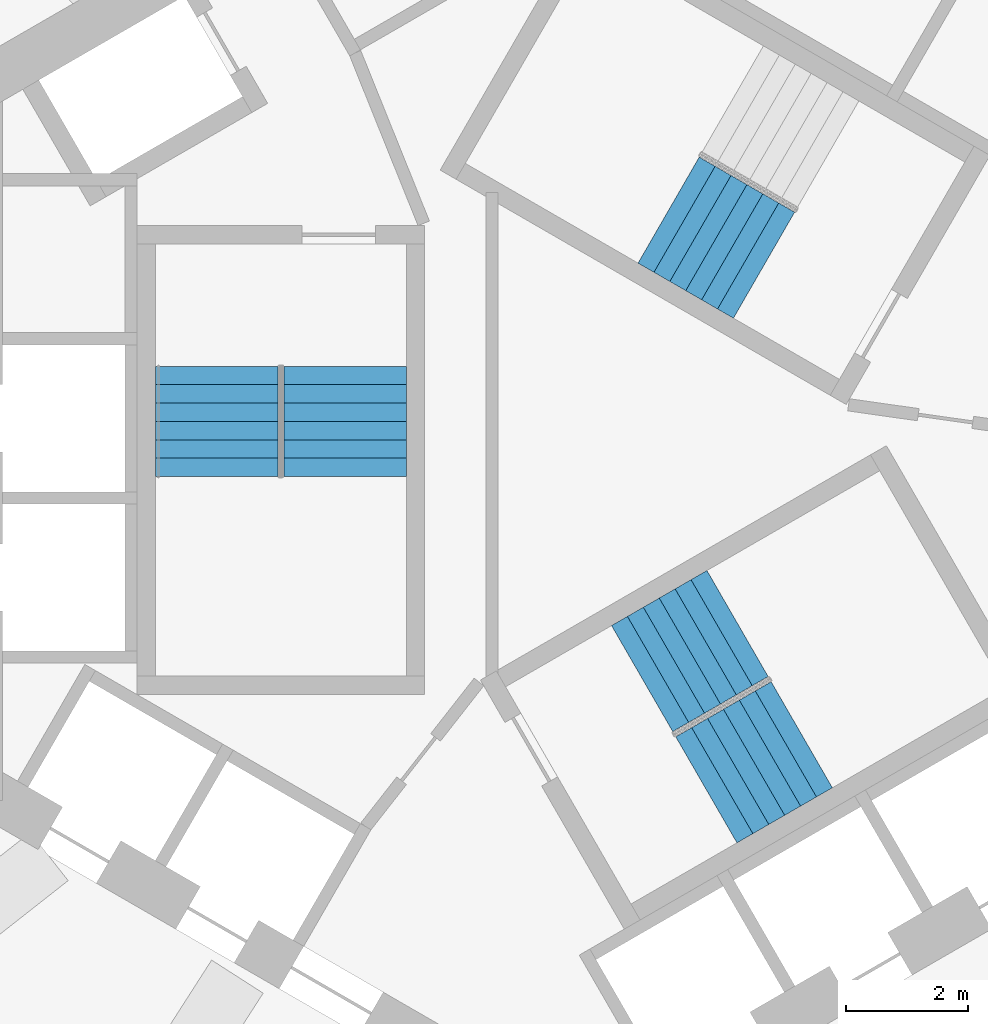
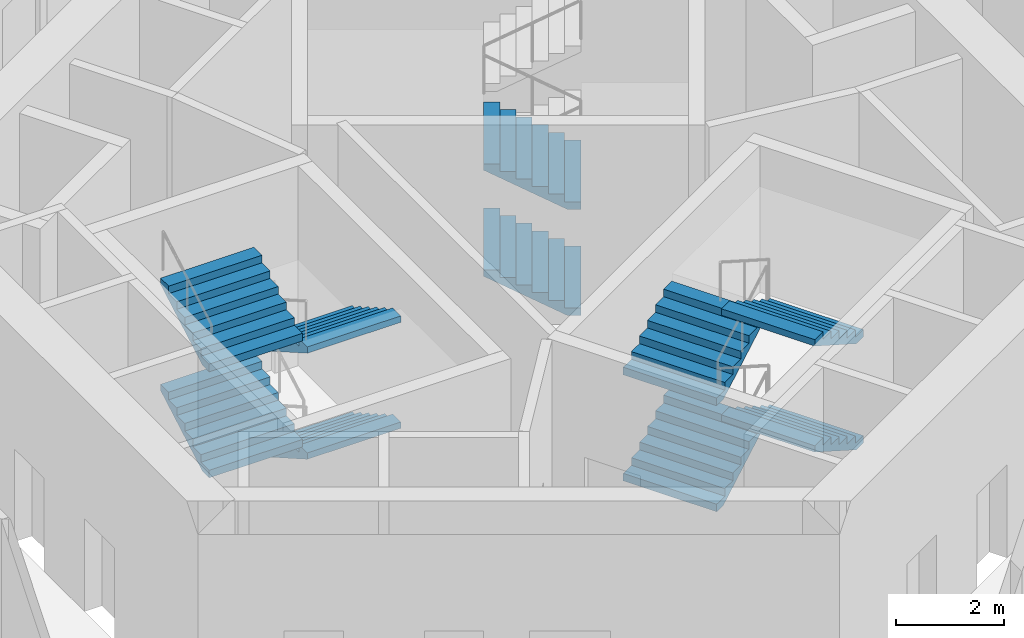
# One storey, part 9 of 15: 10 stair flights, 3 elements without a shape of their own.
"""IFC4 building model written with IfcOpenShell, lengths in metres."""

import ifcopenshell
import ifcopenshell.guid

model = None  # the IFC model being written
_history = None  # IfcOwnerHistory: only IFC2X3 demands one
_inside = {}  # id of a spatial element -> (the spatial element, [elements in it])
_under = {}  # id of a project, library or spatial element -> (it, [spatial elements below it])
_declared = {}  # id of a project -> (the project, [libraries it declares])
_typed = {}  # id of a type object -> (the type object, [elements of that type])
_made_of = {}  # id of a material, layer set ... -> (it, [elements and type objects made of it])


def new_model(schema):
    """Start an empty IFC model of exactly this schema.

    Asked for "IFC4X3", IfcOpenShell would pick the latest addendum, in which some entities
    have other attributes; the version numbers below select the first issue.
    IFC2X3 requires an IfcOwnerHistory on every rooted entity: one is made here for all.
    """
    global model, _history
    if schema == "IFC4X3":
        model = ifcopenshell.file(schema_version=(4, 3, 0, 0))
    else:
        model = ifcopenshell.file(schema=schema)
    _inside.clear()
    _under.clear()
    _declared.clear()
    _typed.clear()
    _made_of.clear()
    _history = None
    if model.schema == "IFC2X3":
        org = make("IfcOrganization", Name="unknown")
        user = make(
            "IfcPersonAndOrganization",
            ThePerson=make("IfcPerson", FamilyName="unknown"),
            TheOrganization=org,
        )
        app = make(
            "IfcApplication",
            ApplicationDeveloper=org,
            Version="unknown",
            ApplicationFullName="unknown",
            ApplicationIdentifier="unknown",
        )
        _history = make(
            "IfcOwnerHistory",
            OwningUser=user,
            OwningApplication=app,
            ChangeAction="ADDED",
            CreationDate=0,
        )
    return model


def make(cls, **values):
    """One entity of the class cls with the attributes given. An attribute that is None is left unset."""
    return model.create_entity(
        cls, **{name: value for name, value in values.items() if value is not None}
    )


def rooted(cls, **values):
    """An entity with a GlobalId (a new one), such as an element, a storey or a relation."""
    return make(cls, GlobalId=ifcopenshell.guid.new(), OwnerHistory=_history, **values)


def si_unit(unit_type, name, prefix=None):
    """IfcSIUnit, for example si_unit("LENGTHUNIT", "METRE", prefix="MILLI")."""
    return make("IfcSIUnit", UnitType=unit_type, Prefix=prefix, Name=name)


def assignment(units):
    """IfcUnitAssignment: the units of a project."""
    return None if units is None else make("IfcUnitAssignment", Units=units)


def point(xyz):
    """IfcCartesianPoint."""
    return None if xyz is None else make("IfcCartesianPoint", Coordinates=xyz)


def direction(xyz):
    """IfcDirection."""
    return None if xyz is None else make("IfcDirection", DirectionRatios=xyz)


def frame(location, z_axis=None, x_axis=None):
    """IfcAxis2Placement3D, a coordinate frame: its origin and axes. An axis left out is left unset."""
    return make(
        "IfcAxis2Placement3D",
        Location=point(location),
        Axis=direction(z_axis),
        RefDirection=direction(x_axis),
    )


def origin():
    """The frame at (0, 0, 0) with its axes left unset."""
    return frame((0.0, 0.0, 0.0))


def place(relative_to, where):
    """IfcLocalPlacement: puts the frame where relative to a parent placement (None: the world)."""
    return make(
        "IfcLocalPlacement", PlacementRelTo=relative_to, RelativePlacement=where
    )


def context(
    kind, dimensions, precision=None, world=None, true_north=None, identifier=None
):
    """IfcGeometricRepresentationContext, for example the 3D "Model" context."""
    return make(
        "IfcGeometricRepresentationContext",
        ContextIdentifier=identifier,
        ContextType=kind,
        CoordinateSpaceDimension=dimensions,
        Precision=precision,
        WorldCoordinateSystem=world,
        TrueNorth=true_north,
    )


def subcontext(parent, identifier, kind, view, scale=None):
    """IfcGeometricRepresentationSubContext, for example "Body" below "Model"."""
    return make(
        "IfcGeometricRepresentationSubContext",
        ContextIdentifier=identifier,
        ContextType=kind,
        ParentContext=parent,
        TargetScale=scale,
        TargetView=view,
    )


def project(units=None, contexts=None):
    """IfcProject with its units and contexts."""
    return rooted(
        "IfcProject",
        Name="project",
        RepresentationContexts=contexts,
        UnitsInContext=assignment(units),
    )


def spatial(cls, under=None, at=None, **own):
    """A site, building, storey or space (cls), placed at a placement, below another one or the project."""
    s = rooted(cls, ObjectPlacement=at, **own)
    if under is not None:
        _under.setdefault(under.id(), (under, []))[1].append(s)
    return s


def point_list(points):
    """IfcCartesianPointList2D or 3D."""
    cls = (
        "IfcCartesianPointList2D" if len(points[0]) == 2 else "IfcCartesianPointList3D"
    )
    return make(cls, CoordList=points)


def triangles(points, corners, closed=None, point_numbers=None):
    """IfcTriangulatedFaceSet: each triangle names its three corners, points numbered from 1."""
    return make(
        "IfcTriangulatedFaceSet",
        Coordinates=point_list(points),
        Closed=closed,
        CoordIndex=corners,
        PnIndex=point_numbers,
    )


def shape(context_of_items, identifier, shape_type, items):
    """IfcShapeRepresentation: the items that make up one representation, for example the "Body"."""
    return make(
        "IfcShapeRepresentation",
        ContextOfItems=context_of_items,
        RepresentationIdentifier=identifier,
        RepresentationType=shape_type,
        Items=items,
    )


def source(mapping_origin, context_of_items, identifier, shape_type, items):
    """IfcRepresentationMap: a shape defined once, which mapped items show again and again."""
    return make(
        "IfcRepresentationMap",
        MappingOrigin=mapping_origin,
        MappedRepresentation=shape(context_of_items, identifier, shape_type, items),
    )


def transform(
    local_origin,
    x_axis=None,
    y_axis=None,
    z_axis=None,
    scale=None,
    scale2=None,
    scale3=None,
    uniform=True,
):
    """IfcCartesianTransformationOperator3D, or its non-uniform kind. x_axis, y_axis, z_axis: its Axis1, 2, 3."""
    if uniform:
        return make(
            "IfcCartesianTransformationOperator3D",
            Axis1=direction(x_axis),
            Axis2=direction(y_axis),
            LocalOrigin=point(local_origin),
            Scale=scale,
            Axis3=direction(z_axis),
        )
    return make(
        "IfcCartesianTransformationOperator3DnonUniform",
        Axis1=direction(x_axis),
        Axis2=direction(y_axis),
        LocalOrigin=point(local_origin),
        Scale=scale,
        Axis3=direction(z_axis),
        Scale2=scale2,
        Scale3=scale3,
    )


def mapped(mapping_source, mapping_target):
    """IfcMappedItem: shows the shape of a source again, moved by a transform."""
    return make(
        "IfcMappedItem", MappingSource=mapping_source, MappingTarget=mapping_target
    )


def material(Name=None, Category=None):
    """IfcMaterial."""
    return make("IfcMaterial", Name=Name, Category=Category)


def made_of(thing, what):
    """Note that an element or type object is made of a material, layer set ...; save() writes the relation."""
    if what is not None:
        _made_of.setdefault(what.id(), (what, []))[1].append(thing)
    return thing


def type_object(cls, material=None, **own):
    """A type object (cls), such as IfcWallType, which elements share."""
    return made_of(rooted(cls, **own), material)


def element(
    cls,
    number,
    at=None,
    inside=None,
    cuts=None,
    type_object=None,
    material=None,
    context=None,
    identifier="Body",
    shape_type=None,
    held_by="IfcProductDefinitionShape",
    body=None,
    shapes=None,
    **own,
):
    """One element of the class cls, such as IfcWall. Its Tag is "e" and its number.

    at: its placement. inside: the storey or other place that contains it. cuts: it is an
    opening in that element (IfcRelVoidsElement). A single representation is given by context,
    identifier, shape_type and body (its items); several are given by shapes. held_by: the class
    of the entity that holds the representations. save() writes the other relations.
    """
    e = rooted(cls, Tag="e%d" % number, ObjectPlacement=at, **own)
    if body is not None:
        shapes = [shape(context, identifier, shape_type, body)]
    if shapes is not None:
        e.Representation = make(held_by, Representations=shapes)
    if inside is not None:
        _inside.setdefault(inside.id(), (inside, []))[1].append(e)
    if cuts is not None:
        rooted(
            "IfcRelVoidsElement", RelatingBuildingElement=cuts, RelatedOpeningElement=e
        )
    if type_object is not None:
        _typed.setdefault(type_object.id(), (type_object, []))[1].append(e)
    return made_of(e, material)


def aggregate(whole, parts):
    """IfcRelAggregates: a whole, such as a stair, and the parts it consists of."""
    return rooted("IfcRelAggregates", RelatingObject=whole, RelatedObjects=parts)


def save(model, path):
    """Write the relations noted so far, then the file.

    IfcRelAggregates (storeys below a building ...), IfcRelContainedInSpatialStructure (elements
    in a storey), IfcRelDefinesByType, IfcRelAssociatesMaterial and IfcRelDeclares: one each for
    every whole, place, type object, material and project.
    """
    for whole, parts in _under.values():
        aggregate(whole, parts)
    for where, things in _inside.values():
        rooted(
            "IfcRelContainedInSpatialStructure",
            RelatedElements=things,
            RelatingStructure=where,
        )
    for kind, things in _typed.values():
        rooted("IfcRelDefinesByType", RelatedObjects=things, RelatingType=kind)
    for what, things in _made_of.values():
        rooted("IfcRelAssociatesMaterial", RelatedObjects=things, RelatingMaterial=what)
    for by, libraries in _declared.values():
        rooted("IfcRelDeclares", RelatingContext=by, RelatedDefinitions=libraries)
    model.write(path)


model = new_model("IFC4")

# Units and contexts
model_context = context("Model", 3, precision=1e-05, world=origin(), true_north=direction((0.0, 1.0)))
body_context = subcontext(model_context, "Body", "Model", "MODEL_VIEW")
ifc_project = project(units=[si_unit("LENGTHUNIT", "METRE"), si_unit("AREAUNIT", "SQUARE_METRE"), si_unit("VOLUMEUNIT", "CUBIC_METRE"), si_unit("PLANEANGLEUNIT", "RADIAN"), si_unit("MASSUNIT", "GRAM", prefix="KILO")], contexts=[model_context])

# Site, building, storey
site_placement = place(None, origin())
site = spatial("IfcSite", under=ifc_project, at=site_placement, CompositionType="ELEMENT")
building_placement = place(site_placement, origin())
building = spatial("IfcBuilding", under=site, at=building_placement, Name="Vanh Sen Convention Tower", CompositionType="ELEMENT")
storey_placement = place(building_placement, frame((0.0, 0.0, 205.800048828125)))
storey = spatial("IfcBuildingStorey", under=building, at=storey_placement, Name="L51", CompositionType="ELEMENT", Elevation=205.800048828125)

# Stair, stair flights
ifc_material_1 = material(Name="Concrete C50/60", Category="concrete")
stair_type_1 = type_object("IfcStairType", Name="Exit stair ST1 28 risers at 171.4", PredefinedType="HALF_TURN_STAIR", material=ifc_material_1)
stair_1_placement = place(storey_placement, origin())
stair_1 = element("IfcStair", 1, at=stair_1_placement, inside=storey, type_object=stair_type_1, Name="Exit stair ST1 L51", PredefinedType="HALF_TURN_STAIR")
ifc_material_2 = material(Name="Concrete C40/50", Category="concrete")
stair_flight_type = type_object("IfcStairFlightType", Name="Stair flight 2000", PredefinedType="STRAIGHT", material=ifc_material_2)
shared_shape = source(origin(), body_context, "Body", "Tessellation", [
    triangles([(0.251953125, 1.0, 0.0), (0.0, 1.0, 0.0), (0.0, 1.0, 0.17138671875), (0.300048828125, 1.0, 0.17138671875), (0.300048828125, 1.0, 0.3427734375), (0.60009765625, 1.0, 0.3427734375), (0.60009765625, 1.0, 0.514404296875), (0.89990234375, 1.0, 0.514404296875), (0.89990234375, 1.0, 0.685791015625), (1.199951171875, 1.0, 0.685791015625), (1.199951171875, 1.0, 0.857177734375), (1.5, 1.0, 0.857177734375), (1.5, 1.0, 1.028564453125), (1.800048828125, 1.0, 1.028564453125), (1.800048828125, 1.0, 0.884521484375), (0.251953125, -1.0, 0.0), (0.0, -1.0, 0.0), (0.0, -1.0, 0.17138671875), (0.300048828125, -1.0, 0.17138671875), (0.300048828125, -1.0, 0.3427734375), (0.60009765625, -1.0, 0.3427734375), (0.60009765625, -1.0, 0.514404296875), (0.89990234375, -1.0, 0.514404296875), (0.89990234375, -1.0, 0.685791015625), (1.199951171875, -1.0, 0.685791015625), (1.199951171875, -1.0, 0.857177734375), (1.5, -1.0, 0.857177734375), (1.5, -1.0, 1.028564453125), (1.800048828125, -1.0, 1.028564453125), (1.800048828125, -1.0, 0.884521484375), (0.0, 0.0400390625, 0.0), (0.0, 0.0390625, 0.0), (0.0, 0.0380859375, 0.0), (0.0, 0.037109375, 0.0), (0.0, 0.035888671875, 0.0), (0.0, 0.034912109375, 0.0), (0.0, 0.033935546875, 0.0), (0.0, 0.032958984375, 0.0), (0.0, 0.031982421875, 0.0), (0.0, 0.031005859375, 0.0), (0.0, 0.030029296875, 0.0), (0.0, 0.029052734375, 0.0), (0.0, 0.028076171875, 0.0), (0.0, 0.027099609375, 0.0), (0.0, 0.02587890625, 0.0), (0.0, 0.02490234375, 0.0), (0.0, 0.02392578125, 0.0), (0.0, 0.02294921875, 0.0), (0.0, 0.02197265625, 0.0), (0.0, 0.02099609375, 0.0), (0.0, 0.02001953125, 0.0), (0.0, 0.01904296875, 0.0), (0.0, 0.01806640625, 0.0), (0.0, 0.01708984375, 0.0), (0.0, 0.01611328125, 0.0), (0.0, 0.014892578125, 0.0), (0.0, 0.013916015625, 0.0), (0.0, 0.012939453125, 0.0), (0.0, 0.011962890625, 0.0), (0.0, 0.010986328125, 0.0), (0.0, 0.010009765625, 0.0), (0.0, 0.009033203125, 0.0), (0.0, 0.008056640625, 0.0), (0.0, 0.007080078125, 0.0), (0.0, 0.006103515625, 0.0), (0.0, 0.0048828125, 0.0), (0.0, 0.00390625, 0.0), (0.0, 0.0029296875, 0.0), (0.0, 0.001953125, 0.0), (0.0, 0.0009765625, 0.0), (0.0, 0.0, 0.0), (0.0, -0.0009765625, 0.0), (0.0, -0.001953125, 0.0), (0.0, -0.0029296875, 0.0), (0.0, -0.00390625, 0.0), (0.0, -0.0048828125, 0.0), (0.0, -0.006103515625, 0.0), (0.0, -0.007080078125, 0.0), (0.0, -0.008056640625, 0.0), (0.0, -0.009033203125, 0.0), (0.0, -0.010009765625, 0.0), (0.0, -0.010986328125, 0.0), (0.0, -0.011962890625, 0.0), (0.0, -0.012939453125, 0.0), (0.0, -0.013916015625, 0.0), (0.0, -0.014892578125, 0.0), (0.0, -0.01611328125, 0.0), (0.0, -0.01708984375, 0.0), (0.0, -0.01806640625, 0.0), (0.0, -0.01904296875, 0.0), (0.0, -0.02001953125, 0.0), (0.0, -0.02099609375, 0.0), (0.0, -0.02197265625, 0.0), (0.0, -0.02294921875, 0.0), (0.0, -0.02392578125, 0.0), (0.0, -0.02490234375, 0.0), (0.0, -0.02587890625, 0.0), (0.0, -0.027099609375, 0.0), (0.0, -0.028076171875, 0.0), (0.0, -0.029052734375, 0.0), (0.0, -0.030029296875, 0.0), (0.0, -0.031005859375, 0.0), (0.0, -0.031982421875, 0.0), (0.0, -0.032958984375, 0.0), (0.0, -0.033935546875, 0.0), (0.0, -0.034912109375, 0.0), (0.0, -0.035888671875, 0.0), (0.0, -0.037109375, 0.0), (0.0, -0.0380859375, 0.0), (0.0, -0.0390625, 0.0), (0.0, -0.0400390625, 0.0), (0.0, 0.0400390625, 0.17138671875), (0.0, 0.0390625, 0.17138671875), (0.0, 0.0380859375, 0.17138671875), (0.0, 0.037109375, 0.17138671875), (0.0, 0.035888671875, 0.17138671875), (0.0, 0.034912109375, 0.17138671875), (0.0, 0.033935546875, 0.17138671875), (0.0, 0.032958984375, 0.17138671875), (0.0, 0.031982421875, 0.17138671875), (0.0, 0.031005859375, 0.17138671875), (0.0, 0.030029296875, 0.17138671875), (0.0, 0.029052734375, 0.17138671875), (0.0, 0.028076171875, 0.17138671875), (0.0, 0.027099609375, 0.17138671875), (0.0, 0.02587890625, 0.17138671875), (0.0, 0.02490234375, 0.17138671875), (0.0, 0.02392578125, 0.17138671875), (0.0, 0.02294921875, 0.17138671875), (0.0, 0.02197265625, 0.17138671875), (0.0, 0.02099609375, 0.17138671875), (0.0, 0.02001953125, 0.17138671875), (0.0, 0.01904296875, 0.17138671875), (0.0, 0.01806640625, 0.17138671875), (0.0, 0.01708984375, 0.17138671875), (0.0, 0.01611328125, 0.17138671875), (0.0, 0.014892578125, 0.17138671875), (0.0, 0.013916015625, 0.17138671875), (0.0, 0.012939453125, 0.17138671875), (0.0, 0.011962890625, 0.17138671875), (0.0, 0.010986328125, 0.17138671875), (0.0, 0.010009765625, 0.17138671875), (0.0, 0.009033203125, 0.17138671875), (0.0, 0.008056640625, 0.17138671875), (0.0, 0.007080078125, 0.17138671875), (0.0, 0.006103515625, 0.17138671875), (0.0, 0.0048828125, 0.17138671875), (0.0, 0.00390625, 0.17138671875), (0.0, 0.0029296875, 0.17138671875), (0.0, 0.001953125, 0.17138671875), (0.0, 0.0009765625, 0.17138671875), (0.0, 0.0, 0.17138671875), (0.0, -0.0009765625, 0.17138671875), (0.0, -0.001953125, 0.17138671875), (0.0, -0.0029296875, 0.17138671875), (0.0, -0.00390625, 0.17138671875), (0.0, -0.0048828125, 0.17138671875), (0.0, -0.006103515625, 0.17138671875), (0.0, -0.007080078125, 0.17138671875), (0.0, -0.008056640625, 0.17138671875), (0.0, -0.009033203125, 0.17138671875), (0.0, -0.010009765625, 0.17138671875), (0.0, -0.010986328125, 0.17138671875), (0.0, -0.011962890625, 0.17138671875), (0.0, -0.012939453125, 0.17138671875), (0.0, -0.013916015625, 0.17138671875), (0.0, -0.014892578125, 0.17138671875), (0.0, -0.01611328125, 0.17138671875), (0.0, -0.01708984375, 0.17138671875), (0.0, -0.01806640625, 0.17138671875), (0.0, -0.01904296875, 0.17138671875), (0.0, -0.02001953125, 0.17138671875), (0.0, -0.02099609375, 0.17138671875), (0.0, -0.02197265625, 0.17138671875), (0.0, -0.02294921875, 0.17138671875), (0.0, -0.02392578125, 0.17138671875), (0.0, -0.02490234375, 0.17138671875), (0.0, -0.02587890625, 0.17138671875), (0.0, -0.027099609375, 0.17138671875), (0.0, -0.028076171875, 0.17138671875), (0.0, -0.029052734375, 0.17138671875), (0.0, -0.030029296875, 0.17138671875), (0.0, -0.031005859375, 0.17138671875), (0.0, -0.031982421875, 0.17138671875), (0.0, -0.032958984375, 0.17138671875), (0.0, -0.033935546875, 0.17138671875), (0.0, -0.034912109375, 0.17138671875), (0.0, -0.035888671875, 0.17138671875), (0.0, -0.037109375, 0.17138671875), (0.0, -0.0380859375, 0.17138671875), (0.0, -0.0390625, 0.17138671875), (0.0, -0.0400390625, 0.17138671875), (0.300048828125, 0.0, 0.17138671875), (0.300048828125, 0.0, 0.3427734375), (0.60009765625, 0.0, 0.3427734375), (0.60009765625, 0.0, 0.514404296875), (0.89990234375, 0.0, 0.514404296875), (0.89990234375, 0.0, 0.685791015625), (1.199951171875, 0.0, 0.685791015625), (1.199951171875, 0.0, 0.857177734375), (1.5, 0.0, 0.857177734375), (1.5, 0.0, 1.028564453125), (1.800048828125, 0.0400390625, 1.028564453125), (1.800048828125, 0.0390625, 1.028564453125), (1.800048828125, 0.0380859375, 1.028564453125), (1.800048828125, 0.037109375, 1.028564453125), (1.800048828125, 0.035888671875, 1.028564453125), (1.800048828125, 0.034912109375, 1.028564453125), (1.800048828125, 0.033935546875, 1.028564453125), (1.800048828125, 0.032958984375, 1.028564453125), (1.800048828125, 0.031982421875, 1.028564453125), (1.800048828125, 0.031005859375, 1.028564453125), (1.800048828125, 0.030029296875, 1.028564453125), (1.800048828125, 0.029052734375, 1.028564453125), (1.800048828125, 0.028076171875, 1.028564453125), (1.800048828125, 0.027099609375, 1.028564453125), (1.800048828125, 0.02587890625, 1.028564453125), (1.800048828125, 0.02490234375, 1.028564453125), (1.800048828125, 0.02392578125, 1.028564453125), (1.800048828125, 0.02294921875, 1.028564453125), (1.800048828125, 0.02197265625, 1.028564453125), (1.800048828125, 0.02099609375, 1.028564453125), (1.800048828125, 0.02001953125, 1.028564453125), (1.800048828125, 0.01904296875, 1.028564453125), (1.800048828125, 0.01806640625, 1.028564453125), (1.800048828125, 0.01708984375, 1.028564453125), (1.800048828125, 0.01611328125, 1.028564453125), (1.800048828125, 0.014892578125, 1.028564453125), (1.800048828125, 0.013916015625, 1.028564453125), (1.800048828125, 0.012939453125, 1.028564453125), (1.800048828125, 0.011962890625, 1.028564453125), (1.800048828125, 0.010986328125, 1.028564453125), (1.800048828125, 0.010009765625, 1.028564453125), (1.800048828125, 0.009033203125, 1.028564453125), (1.800048828125, 0.008056640625, 1.028564453125), (1.800048828125, 0.007080078125, 1.028564453125), (1.800048828125, 0.006103515625, 1.028564453125), (1.800048828125, 0.0048828125, 1.028564453125), (1.800048828125, 0.00390625, 1.028564453125), (1.800048828125, 0.0029296875, 1.028564453125), (1.800048828125, 0.001953125, 1.028564453125), (1.800048828125, 0.0009765625, 1.028564453125), (1.800048828125, 0.0, 1.028564453125), (1.800048828125, -0.0009765625, 1.028564453125), (1.800048828125, -0.001953125, 1.028564453125), (1.800048828125, -0.0029296875, 1.028564453125), (1.800048828125, -0.00390625, 1.028564453125), (1.800048828125, -0.0048828125, 1.028564453125), (1.800048828125, -0.006103515625, 1.028564453125), (1.800048828125, -0.007080078125, 1.028564453125), (1.800048828125, -0.008056640625, 1.028564453125), (1.800048828125, -0.009033203125, 1.028564453125), (1.800048828125, -0.010009765625, 1.028564453125), (1.800048828125, -0.010986328125, 1.028564453125), (1.800048828125, -0.011962890625, 1.028564453125), (1.800048828125, -0.012939453125, 1.028564453125), (1.800048828125, -0.013916015625, 1.028564453125), (1.800048828125, -0.014892578125, 1.028564453125), (1.800048828125, -0.01611328125, 1.028564453125), (1.800048828125, -0.01708984375, 1.028564453125), (1.800048828125, -0.01806640625, 1.028564453125), (1.800048828125, -0.01904296875, 1.028564453125), (1.800048828125, -0.02001953125, 1.028564453125), (1.800048828125, -0.02099609375, 1.028564453125), (1.800048828125, -0.02197265625, 1.028564453125), (1.800048828125, -0.02294921875, 1.028564453125), (1.800048828125, -0.02392578125, 1.028564453125), (1.800048828125, -0.02490234375, 1.028564453125), (1.800048828125, -0.02587890625, 1.028564453125), (1.800048828125, -0.027099609375, 1.028564453125), (1.800048828125, -0.028076171875, 1.028564453125), (1.800048828125, -0.029052734375, 1.028564453125), (1.800048828125, -0.030029296875, 1.028564453125), (1.800048828125, -0.031005859375, 1.028564453125), (1.800048828125, -0.031982421875, 1.028564453125), (1.800048828125, -0.032958984375, 1.028564453125), (1.800048828125, -0.033935546875, 1.028564453125), (1.800048828125, -0.034912109375, 1.028564453125), (1.800048828125, -0.035888671875, 1.028564453125), (1.800048828125, -0.037109375, 1.028564453125), (1.800048828125, -0.0380859375, 1.028564453125), (1.800048828125, -0.0390625, 1.028564453125), (1.800048828125, -0.0400390625, 1.028564453125), (1.800048828125, 0.0400390625, 0.884521484375), (1.800048828125, 0.0390625, 0.884521484375), (1.800048828125, 0.0380859375, 0.884521484375), (1.800048828125, 0.037109375, 0.884521484375), (1.800048828125, 0.035888671875, 0.884521484375), (1.800048828125, 0.034912109375, 0.884521484375), (1.800048828125, 0.033935546875, 0.884521484375), (1.800048828125, 0.032958984375, 0.884521484375), (1.800048828125, 0.031982421875, 0.884521484375), (1.800048828125, 0.031005859375, 0.884521484375), (1.800048828125, 0.030029296875, 0.884521484375), (1.800048828125, 0.029052734375, 0.884521484375), (1.800048828125, 0.028076171875, 0.884521484375), (1.800048828125, 0.027099609375, 0.884521484375), (1.800048828125, 0.02587890625, 0.884521484375), (1.800048828125, 0.02490234375, 0.884521484375), (1.800048828125, 0.02392578125, 0.884521484375), (1.800048828125, 0.02294921875, 0.884521484375), (1.800048828125, 0.02197265625, 0.884521484375), (1.800048828125, 0.02099609375, 0.884521484375), (1.800048828125, 0.02001953125, 0.884521484375), (1.800048828125, 0.01904296875, 0.884521484375), (1.800048828125, 0.01806640625, 0.884521484375), (1.800048828125, 0.01708984375, 0.884521484375), (1.800048828125, 0.01611328125, 0.884521484375), (1.800048828125, 0.014892578125, 0.884521484375), (1.800048828125, 0.013916015625, 0.884521484375), (1.800048828125, 0.012939453125, 0.884521484375), (1.800048828125, 0.011962890625, 0.884521484375), (1.800048828125, 0.010986328125, 0.884521484375), (1.800048828125, 0.010009765625, 0.884521484375), (1.800048828125, 0.009033203125, 0.884521484375), (1.800048828125, 0.008056640625, 0.884521484375), (1.800048828125, 0.007080078125, 0.884521484375), (1.800048828125, 0.006103515625, 0.884521484375), (1.800048828125, 0.0048828125, 0.884521484375), (1.800048828125, 0.00390625, 0.884521484375), (1.800048828125, 0.0029296875, 0.884521484375), (1.800048828125, 0.001953125, 0.884521484375), (1.800048828125, 0.0009765625, 0.884521484375), (1.800048828125, 0.0, 0.884521484375), (1.800048828125, -0.0009765625, 0.884521484375), (1.800048828125, -0.001953125, 0.884521484375), (1.800048828125, -0.0029296875, 0.884521484375), (1.800048828125, -0.00390625, 0.884521484375), (1.800048828125, -0.0048828125, 0.884521484375), (1.800048828125, -0.006103515625, 0.884521484375), (1.800048828125, -0.007080078125, 0.884521484375), (1.800048828125, -0.008056640625, 0.884521484375), (1.800048828125, -0.009033203125, 0.884521484375), (1.800048828125, -0.010009765625, 0.884521484375), (1.800048828125, -0.010986328125, 0.884521484375), (1.800048828125, -0.011962890625, 0.884521484375), (1.800048828125, -0.012939453125, 0.884521484375), (1.800048828125, -0.013916015625, 0.884521484375), (1.800048828125, -0.014892578125, 0.884521484375), (1.800048828125, -0.01611328125, 0.884521484375), (1.800048828125, -0.01708984375, 0.884521484375), (1.800048828125, -0.01806640625, 0.884521484375), (1.800048828125, -0.01904296875, 0.884521484375), (1.800048828125, -0.02001953125, 0.884521484375), (1.800048828125, -0.02099609375, 0.884521484375), (1.800048828125, -0.02197265625, 0.884521484375), (1.800048828125, -0.02294921875, 0.884521484375), (1.800048828125, -0.02392578125, 0.884521484375), (1.800048828125, -0.02490234375, 0.884521484375), (1.800048828125, -0.02587890625, 0.884521484375), (1.800048828125, -0.027099609375, 0.884521484375), (1.800048828125, -0.028076171875, 0.884521484375), (1.800048828125, -0.029052734375, 0.884521484375), (1.800048828125, -0.030029296875, 0.884521484375), (1.800048828125, -0.031005859375, 0.884521484375), (1.800048828125, -0.031982421875, 0.884521484375), (1.800048828125, -0.032958984375, 0.884521484375), (1.800048828125, -0.033935546875, 0.884521484375), (1.800048828125, -0.034912109375, 0.884521484375), (1.800048828125, -0.035888671875, 0.884521484375), (1.800048828125, -0.037109375, 0.884521484375), (1.800048828125, -0.0380859375, 0.884521484375), (1.800048828125, -0.0390625, 0.884521484375), (1.800048828125, -0.0400390625, 0.884521484375), (0.251953125, 0.0, 0.0)], [[1, 2, 3], [1, 3, 4], [4, 5, 6], [1, 4, 6], [6, 7, 8], [1, 6, 8], [8, 9, 10], [1, 8, 10], [10, 11, 12], [1, 10, 12], [12, 13, 14], [1, 12, 14], [14, 15, 1], [16, 18, 17], [16, 19, 18], [19, 21, 20], [16, 21, 19], [21, 23, 22], [16, 23, 21], [23, 25, 24], [16, 25, 23], [25, 27, 26], [16, 27, 25], [27, 29, 28], [16, 29, 27], [29, 16, 30], [2, 112, 3], [2, 31, 112], [31, 113, 112], [31, 32, 113], [32, 114, 113], [32, 33, 114], [33, 115, 114], [33, 34, 115], [34, 116, 115], [34, 35, 116], [35, 117, 116], [35, 36, 117], [36, 118, 117], [36, 37, 118], [37, 119, 118], [37, 38, 119], [38, 120, 119], [38, 39, 120], [39, 121, 120], [39, 40, 121], [40, 122, 121], [40, 41, 122], [41, 123, 122], [41, 42, 123], [42, 124, 123], [42, 43, 124], [43, 125, 124], [43, 44, 125], [44, 126, 125], [44, 45, 126], [45, 127, 126], [45, 46, 127], [46, 128, 127], [46, 47, 128], [47, 129, 128], [47, 48, 129], [48, 130, 129], [48, 49, 130], [49, 131, 130], [49, 50, 131], [50, 132, 131], [50, 51, 132], [51, 133, 132], [51, 52, 133], [52, 134, 133], [52, 53, 134], [53, 135, 134], [53, 54, 135], [54, 136, 135], [54, 55, 136], [55, 137, 136], [55, 56, 137], [56, 138, 137], [56, 57, 138], [57, 139, 138], [57, 58, 139], [58, 140, 139], [58, 59, 140], [59, 141, 140], [59, 60, 141], [60, 142, 141], [60, 61, 142], [61, 143, 142], [61, 62, 143], [62, 144, 143], [62, 63, 144], [63, 145, 144], [63, 64, 145], [64, 146, 145], [64, 65, 146], [65, 147, 146], [65, 66, 147], [66, 148, 147], [66, 67, 148], [67, 149, 148], [67, 68, 149], [68, 150, 149], [68, 69, 150], [69, 151, 150], [69, 70, 151], [70, 152, 151], [70, 71, 152], [71, 72, 152], [152, 72, 153], [72, 73, 153], [153, 73, 154], [73, 74, 154], [154, 74, 155], [74, 75, 155], [155, 75, 156], [75, 76, 156], [156, 76, 157], [76, 77, 157], [157, 77, 158], [77, 78, 158], [158, 78, 159], [78, 79, 159], [159, 79, 160], [79, 80, 160], [160, 80, 161], [80, 81, 161], [161, 81, 162], [81, 82, 162], [162, 82, 163], [82, 83, 163], [163, 83, 164], [83, 84, 164], [164, 84, 165], [84, 85, 165], [165, 85, 166], [85, 86, 166], [166, 86, 167], [86, 87, 167], [167, 87, 168], [87, 88, 168], [168, 88, 169], [88, 89, 169], [169, 89, 170], [89, 90, 170], [170, 90, 171], [90, 91, 171], [171, 91, 172], [91, 92, 172], [172, 92, 173], [92, 93, 173], [173, 93, 174], [93, 94, 174], [174, 94, 175], [94, 95, 175], [175, 95, 176], [95, 96, 176], [176, 96, 177], [96, 97, 177], [177, 97, 178], [97, 98, 178], [178, 98, 179], [98, 99, 179], [179, 99, 180], [99, 100, 180], [180, 100, 181], [100, 101, 181], [181, 101, 182], [101, 102, 182], [182, 102, 183], [102, 103, 183], [183, 103, 184], [103, 104, 184], [184, 104, 185], [104, 105, 185], [185, 105, 186], [105, 106, 186], [186, 106, 187], [106, 107, 187], [187, 107, 188], [107, 108, 188], [188, 108, 189], [108, 109, 189], [189, 109, 190], [109, 110, 190], [190, 110, 191], [110, 111, 191], [191, 111, 192], [111, 17, 192], [192, 17, 18], [4, 3, 112], [4, 112, 113], [4, 113, 114], [4, 114, 115], [4, 115, 116], [4, 116, 117], [4, 117, 118], [4, 118, 119], [4, 119, 120], [4, 120, 121], [4, 121, 122], [4, 122, 123], [4, 123, 124], [4, 124, 125], [4, 125, 126], [4, 126, 127], [4, 127, 128], [4, 128, 129], [4, 129, 130], [4, 130, 131], [4, 131, 132], [4, 132, 133], [4, 133, 134], [4, 134, 135], [4, 135, 136], [4, 136, 137], [4, 137, 138], [4, 138, 139], [4, 139, 140], [4, 140, 141], [4, 141, 142], [4, 142, 143], [4, 143, 144], [4, 144, 145], [4, 145, 146], [4, 146, 147], [4, 147, 148], [4, 148, 149], [4, 149, 150], [4, 150, 151], [4, 151, 152], [19, 152, 153], [19, 153, 154], [19, 154, 155], [19, 155, 156], [19, 156, 157], [19, 157, 158], [19, 158, 159], [19, 159, 160], [19, 160, 161], [19, 161, 162], [19, 162, 163], [19, 163, 164], [19, 164, 165], [19, 165, 166], [19, 166, 167], [19, 167, 168], [19, 168, 169], [19, 169, 170], [19, 170, 171], [19, 171, 172], [19, 172, 173], [19, 173, 174], [19, 174, 175], [19, 175, 176], [19, 176, 177], [19, 177, 178], [19, 178, 179], [19, 179, 180], [19, 180, 181], [19, 181, 182], [19, 182, 183], [19, 183, 184], [19, 184, 185], [19, 185, 186], [19, 186, 187], [19, 187, 188], [19, 188, 189], [19, 189, 190], [19, 190, 191], [19, 191, 192], [19, 192, 18], [4, 152, 193], [19, 193, 152], [4, 194, 5], [4, 193, 194], [193, 19, 194], [194, 19, 20], [5, 195, 6], [5, 194, 195], [194, 20, 195], [195, 20, 21], [6, 196, 7], [6, 195, 196], [195, 21, 196], [196, 21, 22], [7, 197, 8], [7, 196, 197], [196, 22, 197], [197, 22, 23], [8, 198, 9], [8, 197, 198], [197, 23, 198], [198, 23, 24], [9, 199, 10], [9, 198, 199], [198, 24, 199], [199, 24, 25], [10, 200, 11], [10, 199, 200], [199, 25, 200], [200, 25, 26], [11, 201, 12], [11, 200, 201], [200, 26, 201], [201, 26, 27], [12, 202, 13], [12, 201, 202], [201, 27, 202], [202, 27, 28], [13, 203, 14], [13, 204, 203], [13, 205, 204], [13, 206, 205], [13, 207, 206], [13, 208, 207], [13, 209, 208], [13, 210, 209], [13, 211, 210], [13, 212, 211], [13, 213, 212], [13, 214, 213], [13, 215, 214], [13, 216, 215], [13, 217, 216], [13, 218, 217], [13, 219, 218], [13, 220, 219], [13, 221, 220], [13, 222, 221], [13, 223, 222], [13, 224, 223], [13, 225, 224], [13, 226, 225], [13, 227, 226], [13, 228, 227], [13, 229, 228], [13, 230, 229], [13, 231, 230], [13, 232, 231], [13, 233, 232], [13, 234, 233], [13, 235, 234], [13, 236, 235], [13, 237, 236], [13, 238, 237], [13, 239, 238], [13, 240, 239], [13, 241, 240], [13, 242, 241], [13, 243, 242], [28, 244, 243], [28, 245, 244], [28, 246, 245], [28, 247, 246], [28, 248, 247], [28, 249, 248], [28, 250, 249], [28, 251, 250], [28, 252, 251], [28, 253, 252], [28, 254, 253], [28, 255, 254], [28, 256, 255], [28, 257, 256], [28, 258, 257], [28, 259, 258], [28, 260, 259], [28, 261, 260], [28, 262, 261], [28, 263, 262], [28, 264, 263], [28, 265, 264], [28, 266, 265], [28, 267, 266], [28, 268, 267], [28, 269, 268], [28, 270, 269], [28, 271, 270], [28, 272, 271], [28, 273, 272], [28, 274, 273], [28, 275, 274], [28, 276, 275], [28, 277, 276], [28, 278, 277], [28, 279, 278], [28, 280, 279], [28, 281, 280], [28, 282, 281], [28, 283, 282], [28, 29, 283], [13, 202, 243], [28, 243, 202], [14, 284, 15], [14, 203, 284], [203, 285, 284], [203, 204, 285], [204, 286, 285], [204, 205, 286], [205, 287, 286], [205, 206, 287], [206, 288, 287], [206, 207, 288], [207, 289, 288], [207, 208, 289], [208, 290, 289], [208, 209, 290], [209, 291, 290], [209, 210, 291], [210, 292, 291], [210, 211, 292], [211, 293, 292], [211, 212, 293], [212, 294, 293], [212, 213, 294], [213, 295, 294], [213, 214, 295], [214, 296, 295], [214, 215, 296], [215, 297, 296], [215, 216, 297], [216, 298, 297], [216, 217, 298], [217, 299, 298], [217, 218, 299], [218, 300, 299], [218, 219, 300], [219, 301, 300], [219, 220, 301], [220, 302, 301], [220, 221, 302], [221, 303, 302], [221, 222, 303], [222, 304, 303], [222, 223, 304], [223, 305, 304], [223, 224, 305], [224, 306, 305], [224, 225, 306], [225, 307, 306], [225, 226, 307], [226, 308, 307], [226, 227, 308], [227, 309, 308], [227, 228, 309], [228, 310, 309], [228, 229, 310], [229, 311, 310], [229, 230, 311], [230, 312, 311], [230, 231, 312], [231, 313, 312], [231, 232, 313], [232, 314, 313], [232, 233, 314], [233, 315, 314], [233, 234, 315], [234, 316, 315], [234, 235, 316], [235, 317, 316], [235, 236, 317], [236, 318, 317], [236, 237, 318], [237, 319, 318], [237, 238, 319], [238, 320, 319], [238, 239, 320], [239, 321, 320], [239, 240, 321], [240, 322, 321], [240, 241, 322], [241, 323, 322], [241, 242, 323], [242, 324, 323], [242, 243, 324], [243, 244, 324], [324, 244, 325], [244, 245, 325], [325, 245, 326], [245, 246, 326], [326, 246, 327], [246, 247, 327], [327, 247, 328], [247, 248, 328], [328, 248, 329], [248, 249, 329], [329, 249, 330], [249, 250, 330], [330, 250, 331], [250, 251, 331], [331, 251, 332], [251, 252, 332], [332, 252, 333], [252, 253, 333], [333, 253, 334], [253, 254, 334], [334, 254, 335], [254, 255, 335], [335, 255, 336], [255, 256, 336], [336, 256, 337], [256, 257, 337], [337, 257, 338], [257, 258, 338], [338, 258, 339], [258, 259, 339], [339, 259, 340], [259, 260, 340], [340, 260, 341], [260, 261, 341], [341, 261, 342], [261, 262, 342], [342, 262, 343], [262, 263, 343], [343, 263, 344], [263, 264, 344], [344, 264, 345], [264, 265, 345], [345, 265, 346], [265, 266, 346], [346, 266, 347], [266, 267, 347], [347, 267, 348], [267, 268, 348], [348, 268, 349], [268, 269, 349], [349, 269, 350], [269, 270, 350], [350, 270, 351], [270, 271, 351], [351, 271, 352], [271, 272, 352], [352, 272, 353], [272, 273, 353], [353, 273, 354], [273, 274, 354], [354, 274, 355], [274, 275, 355], [355, 275, 356], [275, 276, 356], [356, 276, 357], [276, 277, 357], [357, 277, 358], [277, 278, 358], [358, 278, 359], [278, 279, 359], [359, 279, 360], [279, 280, 360], [360, 280, 361], [280, 281, 361], [361, 281, 362], [281, 282, 362], [362, 282, 363], [282, 283, 363], [363, 283, 364], [283, 29, 364], [364, 29, 30], [1, 15, 284], [1, 284, 285], [1, 285, 286], [1, 286, 287], [1, 287, 288], [1, 288, 289], [1, 289, 290], [1, 290, 291], [1, 291, 292], [1, 292, 293], [1, 293, 294], [1, 294, 295], [1, 295, 296], [1, 296, 297], [1, 297, 298], [1, 298, 299], [1, 299, 300], [1, 300, 301], [1, 301, 302], [1, 302, 303], [1, 303, 304], [1, 304, 305], [1, 305, 306], [1, 306, 307], [1, 307, 308], [1, 308, 309], [1, 309, 310], [1, 310, 311], [1, 311, 312], [1, 312, 313], [1, 313, 314], [1, 314, 315], [1, 315, 316], [1, 316, 317], [1, 317, 318], [1, 318, 319], [1, 319, 320], [1, 320, 321], [1, 321, 322], [1, 322, 323], [1, 323, 324], [16, 324, 325], [16, 325, 326], [16, 326, 327], [16, 327, 328], [16, 328, 329], [16, 329, 330], [16, 330, 331], [16, 331, 332], [16, 332, 333], [16, 333, 334], [16, 334, 335], [16, 335, 336], [16, 336, 337], [16, 337, 338], [16, 338, 339], [16, 339, 340], [16, 340, 341], [16, 341, 342], [16, 342, 343], [16, 343, 344], [16, 344, 345], [16, 345, 346], [16, 346, 347], [16, 347, 348], [16, 348, 349], [16, 349, 350], [16, 350, 351], [16, 351, 352], [16, 352, 353], [16, 353, 354], [16, 354, 355], [16, 355, 356], [16, 356, 357], [16, 357, 358], [16, 358, 359], [16, 359, 360], [16, 360, 361], [16, 361, 362], [16, 362, 363], [16, 363, 364], [16, 364, 30], [1, 324, 365], [16, 365, 324], [1, 31, 2], [1, 32, 31], [1, 33, 32], [1, 34, 33], [1, 35, 34], [1, 36, 35], [1, 37, 36], [1, 38, 37], [1, 39, 38], [1, 40, 39], [1, 41, 40], [1, 42, 41], [1, 43, 42], [1, 44, 43], [1, 45, 44], [1, 46, 45], [1, 47, 46], [1, 48, 47], [1, 49, 48], [1, 50, 49], [1, 51, 50], [1, 52, 51], [1, 53, 52], [1, 54, 53], [1, 55, 54], [1, 56, 55], [1, 57, 56], [1, 58, 57], [1, 59, 58], [1, 60, 59], [1, 61, 60], [1, 62, 61], [1, 63, 62], [1, 64, 63], [1, 65, 64], [1, 66, 65], [1, 67, 66], [1, 68, 67], [1, 69, 68], [1, 70, 69], [1, 71, 70], [16, 72, 71], [16, 73, 72], [16, 74, 73], [16, 75, 74], [16, 76, 75], [16, 77, 76], [16, 78, 77], [16, 79, 78], [16, 80, 79], [16, 81, 80], [16, 82, 81], [16, 83, 82], [16, 84, 83], [16, 85, 84], [16, 86, 85], [16, 87, 86], [16, 88, 87], [16, 89, 88], [16, 90, 89], [16, 91, 90], [16, 92, 91], [16, 93, 92], [16, 94, 93], [16, 95, 94], [16, 96, 95], [16, 97, 96], [16, 98, 97], [16, 99, 98], [16, 100, 99], [16, 101, 100], [16, 102, 101], [16, 103, 102], [16, 104, 103], [16, 105, 104], [16, 106, 105], [16, 107, 106], [16, 108, 107], [16, 109, 108], [16, 110, 109], [16, 111, 110], [16, 17, 111], [1, 365, 71], [16, 71, 365]], closed=True),
])
stair_flight_1_placement = place(storey_placement, frame((2.94580078125, 2.802490234375, 0.0), z_axis=(0.0, 0.0, 1.0), x_axis=(-0.866025403784, 0.5, 0.0)))
stair_flight_1 = element("IfcStairFlight", 2, at=stair_flight_1_placement, type_object=stair_flight_type, Name="ST1 flight 1", NumberOfRisers=7, NumberOfTreads=6, PredefinedType="STRAIGHT", RiserHeight=0.171428571, TreadLength=0.3, context=body_context, shape_type="MappedRepresentation", body=[
    mapped(shared_shape, transform((0.0, 0.0, 0.0))),
])
stair_flight_2_placement = place(storey_placement, frame((2.94580078125, 2.802490234375, 2.39990234375), z_axis=(0.0, 0.0, 1.0), x_axis=(-0.866025403784, 0.5, 0.0)))
stair_flight_2 = element("IfcStairFlight", 3, at=stair_flight_2_placement, type_object=stair_flight_type, Name="ST1 flight 3", NumberOfRisers=7, NumberOfTreads=6, PredefinedType="STRAIGHT", RiserHeight=0.171428571, TreadLength=0.3, context=body_context, shape_type="MappedRepresentation", body=[
    mapped(shared_shape, transform((0.0, 0.0, 0.0))),
])
aggregate(stair_1, [stair_flight_1, stair_flight_2])

stair_type_2 = type_object("IfcStairType", Name="Exit stair ST2 28 risers at 171.4", PredefinedType="HALF_TURN_STAIR", material=ifc_material_1)
stair_2_placement = place(storey_placement, origin())
stair_2 = element("IfcStair", 4, at=stair_2_placement, inside=storey, type_object=stair_type_2, Name="Exit stair ST2 L51", PredefinedType="HALF_TURN_STAIR")
stair_flight_3_placement = place(storey_placement, frame((-3.89990234375, 1.14990234375, 0.0), z_axis=(0.0, 0.0, 1.0), x_axis=(0.0, -1.0, 0.0)))
stair_flight_3 = element("IfcStairFlight", 5, at=stair_flight_3_placement, type_object=stair_flight_type, Name="ST2 flight 1", NumberOfRisers=7, NumberOfTreads=6, PredefinedType="STRAIGHT", RiserHeight=0.171428571, TreadLength=0.3, context=body_context, shape_type="MappedRepresentation", body=[
    mapped(shared_shape, transform((0.0, 0.0, 0.0))),
])
stair_flight_4_placement = place(storey_placement, frame((-6.0, -0.64990234375, 1.199951171875), z_axis=(0.0, 0.0, 1.0), x_axis=(0.0, 1.0, 0.0)))
stair_flight_4 = element("IfcStairFlight", 6, at=stair_flight_4_placement, type_object=stair_flight_type, Name="ST2 flight 2", NumberOfRisers=7, NumberOfTreads=6, PredefinedType="STRAIGHT", RiserHeight=0.171428571, TreadLength=0.3, context=body_context, shape_type="MappedRepresentation", body=[
    mapped(shared_shape, transform((0.0, 0.0, 0.0))),
])
stair_flight_5_placement = place(storey_placement, frame((-3.89990234375, 1.14990234375, 2.39990234375), z_axis=(0.0, 0.0, 1.0), x_axis=(0.0, -1.0, 0.0)))
stair_flight_5 = element("IfcStairFlight", 7, at=stair_flight_5_placement, type_object=stair_flight_type, Name="ST2 flight 3", NumberOfRisers=7, NumberOfTreads=6, PredefinedType="STRAIGHT", RiserHeight=0.171428571, TreadLength=0.3, context=body_context, shape_type="MappedRepresentation", body=[
    mapped(shared_shape, transform((0.0, 0.0, 0.0))),
])
stair_flight_6_placement = place(storey_placement, frame((-6.0, -0.64990234375, 3.599853515625), z_axis=(0.0, 0.0, 1.0), x_axis=(0.0, 1.0, 0.0)))
stair_flight_6 = element("IfcStairFlight", 8, at=stair_flight_6_placement, type_object=stair_flight_type, Name="ST2 flight 4", NumberOfRisers=7, NumberOfTreads=6, PredefinedType="STRAIGHT", RiserHeight=0.171428571, TreadLength=0.3, context=body_context, shape_type="MappedRepresentation", body=[
    mapped(shared_shape, transform((0.0, 0.0, 0.0))),
])
aggregate(stair_2, [stair_flight_3, stair_flight_4, stair_flight_5, stair_flight_6])

stair_type_3 = type_object("IfcStairType", Name="Exit stair ST3 28 risers at 171.4", PredefinedType="HALF_TURN_STAIR", material=ifc_material_1)
stair_3_placement = place(storey_placement, origin())
stair_3 = element("IfcStair", 9, at=stair_3_placement, inside=storey, type_object=stair_type_3, Name="Exit stair ST3 L51", PredefinedType="HALF_TURN_STAIR")
stair_flight_7_placement = place(storey_placement, frame((0.9541015625, -3.952392578125, 0.0), z_axis=(0.0, 0.0, 1.0), x_axis=(0.866025403784, 0.5, 0.0)))
stair_flight_7 = element("IfcStairFlight", 10, at=stair_flight_7_placement, type_object=stair_flight_type, Name="ST3 flight 1", NumberOfRisers=7, NumberOfTreads=6, PredefinedType="STRAIGHT", RiserHeight=0.171428571, TreadLength=0.3, context=body_context, shape_type="MappedRepresentation", body=[
    mapped(shared_shape, transform((0.0, 0.0, 0.0))),
])
stair_flight_8_placement = place(storey_placement, frame((3.56298828125, -4.87109375, 1.199951171875), z_axis=(0.0, 0.0, 1.0), x_axis=(-0.866025403784, -0.5, 0.0)))
stair_flight_8 = element("IfcStairFlight", 11, at=stair_flight_8_placement, type_object=stair_flight_type, Name="ST3 flight 2", NumberOfRisers=7, NumberOfTreads=6, PredefinedType="STRAIGHT", RiserHeight=0.171428571, TreadLength=0.3, context=body_context, shape_type="MappedRepresentation", body=[
    mapped(shared_shape, transform((0.0, 0.0, 0.0))),
])
stair_flight_9_placement = place(storey_placement, frame((0.9541015625, -3.952392578125, 2.39990234375), z_axis=(0.0, 0.0, 1.0), x_axis=(0.866025403784, 0.5, 0.0)))
stair_flight_9 = element("IfcStairFlight", 12, at=stair_flight_9_placement, type_object=stair_flight_type, Name="ST3 flight 3", NumberOfRisers=7, NumberOfTreads=6, PredefinedType="STRAIGHT", RiserHeight=0.171428571, TreadLength=0.3, context=body_context, shape_type="MappedRepresentation", body=[
    mapped(shared_shape, transform((0.0, 0.0, 0.0))),
])
stair_flight_10_placement = place(storey_placement, frame((3.56298828125, -4.87109375, 3.599853515625), z_axis=(0.0, 0.0, 1.0), x_axis=(-0.866025403784, -0.5, 0.0)))
stair_flight_10 = element("IfcStairFlight", 13, at=stair_flight_10_placement, type_object=stair_flight_type, Name="ST3 flight 4", NumberOfRisers=7, NumberOfTreads=6, PredefinedType="STRAIGHT", RiserHeight=0.171428571, TreadLength=0.3, context=body_context, shape_type="MappedRepresentation", body=[
    mapped(shared_shape, transform((0.0, 0.0, 0.0))),
])
aggregate(stair_3, [stair_flight_7, stair_flight_8, stair_flight_9, stair_flight_10])

save(model, "model.ifc")
